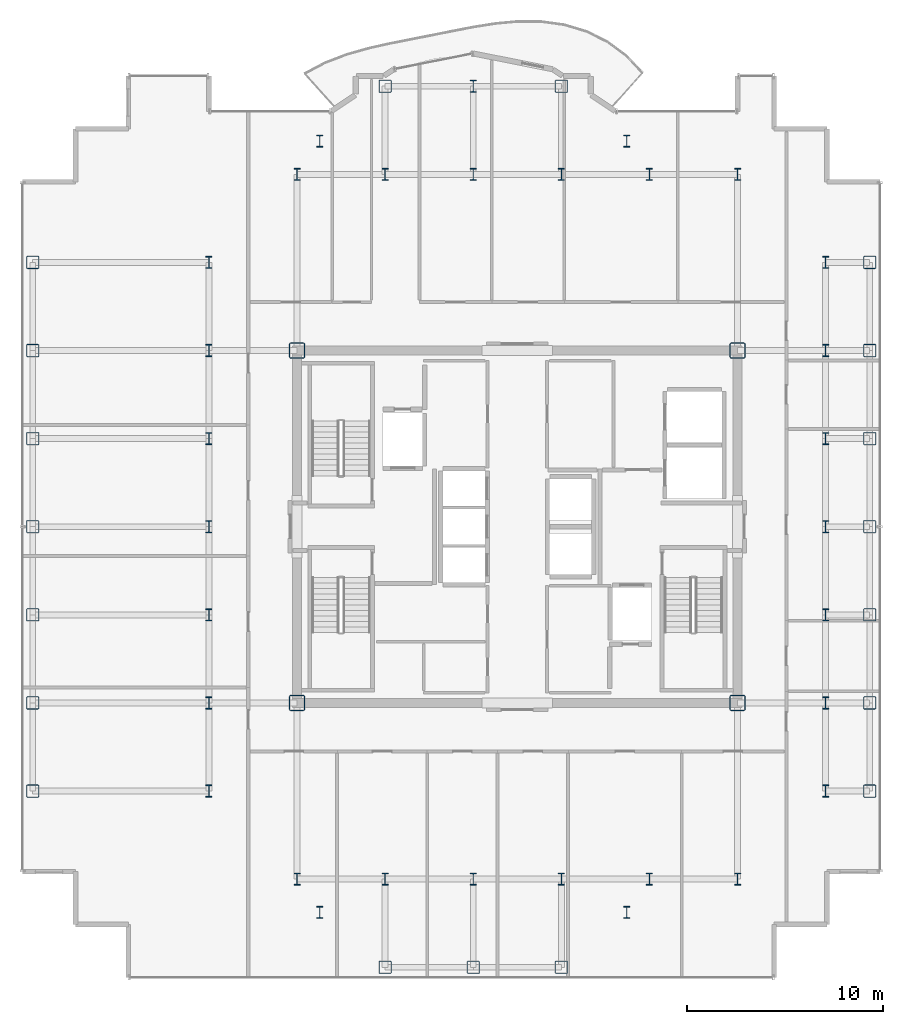
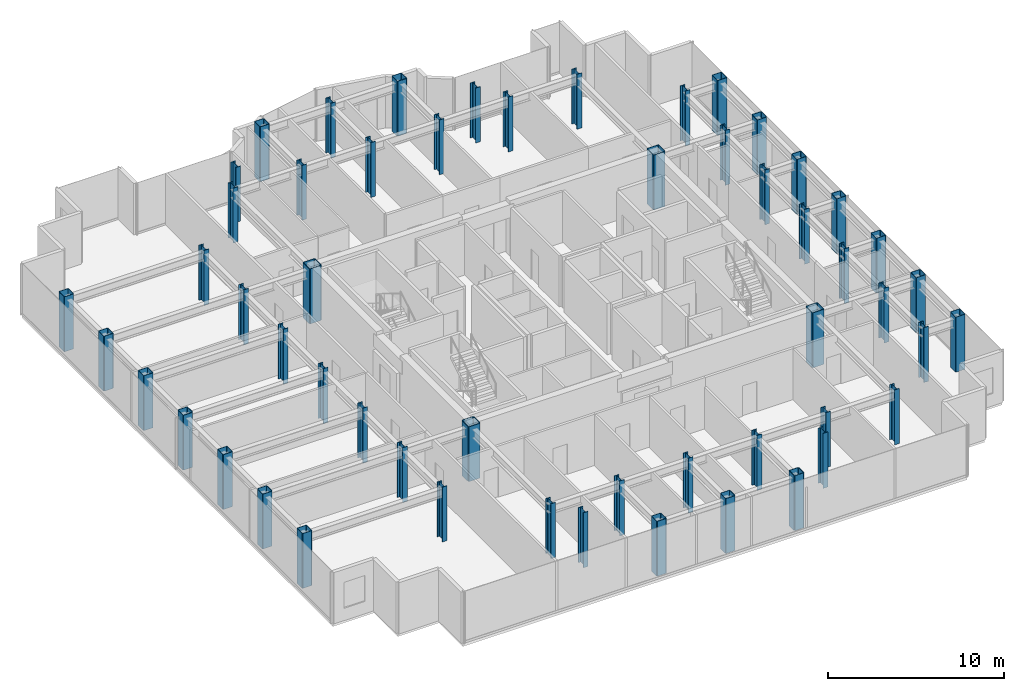
# One storey, part 1 of 18: 54 columns.
"""IFC4 building model written with IfcOpenShell, lengths in metres."""

from ifc_helpers import new_model, si_unit, direction, frame, origin, origin_2d, place, context, subcontext, project, spatial, hollow_rectangle, i_section, extrude, source, transform, mapped, material, material_profile, profile_set, type_object, element, save


model = new_model("IFC4")

# Units and contexts
model_context = context("Model", 3, precision=1e-05, world=origin(), true_north=direction((0.0, 1.0)))
body_context = subcontext(model_context, "Body", "Model", "MODEL_VIEW")
ifc_project = project(units=[si_unit("LENGTHUNIT", "METRE"), si_unit("AREAUNIT", "SQUARE_METRE"), si_unit("VOLUMEUNIT", "CUBIC_METRE"), si_unit("PLANEANGLEUNIT", "RADIAN"), si_unit("MASSUNIT", "GRAM", prefix="KILO")], contexts=[model_context])

# Site, building, storey
site_placement = place(None, origin())
site = spatial("IfcSite", under=ifc_project, at=site_placement, CompositionType="ELEMENT")
building_placement = place(site_placement, origin())
building = spatial("IfcBuilding", under=site, at=building_placement, Name="Nefas-Gora Pilgrimage Tower", CompositionType="ELEMENT")
storey_placement = place(building_placement, frame((0.0, 0.0, 272.199951171875)))
storey = spatial("IfcBuildingStorey", under=building, at=storey_placement, Name="L68", CompositionType="ELEMENT", Elevation=272.199951171875)

# Columns
ifc_material_1 = material(Name="Steel S460", Category="steel")
ifc_material_profile_1 = material_profile(ifc_material_1, hollow_rectangle(XDim=0.800048828125, YDim=0.800048828125, WallThickness=0.0400390625, InnerFilletRadius=0.0400390625, OuterFilletRadius=0.080078125, at=origin_2d()), Name="BOX 800x800x40")
ifc_profile_set_1 = profile_set([ifc_material_profile_1], Name="Steel S460")
column_type_1 = type_object("IfcColumnType", Name="COL-CORE-800", PredefinedType="COLUMN", material=ifc_profile_set_1)
shared_shape_1 = source(origin(), body_context, "Body", "SweptSolid", [
    extrude(hollow_rectangle(XDim=0.800048828125, YDim=0.800048828125, WallThickness=0.0400390625, InnerFilletRadius=0.0400390625, OuterFilletRadius=0.080078125, at=origin_2d()), origin(), (0.0, 0.0, 1.0), 3.800048828125),
])
for number, where, z_axis, x_axis, name in (
    (1, (-11.25, -9.0, 0.0), (0.0, 0.0, 1.0), (1.0, 0.0, 0.0), "L68 Tower Column CC-Z2.16"),
    (2, (-11.25, 9.0, 0.0), (0.0, 0.0, 1.0), (1.0, 0.0, 0.0), "L68 Tower Column CC-Z2.17"),
    (3, (11.25, -9.0, 0.0), (0.0, 0.0, 1.0), (1.0, 0.0, 0.0), "L68 Tower Column CC-Z2.38"),
    (4, (11.25, 9.0, 0.0), (0.0, 0.0, 1.0), (1.0, 0.0, 0.0), "L68 Tower Column CC-Z2.39"),
):
    element("IfcColumn", number, at=place(storey_placement, frame(where, z_axis=z_axis, x_axis=x_axis)), inside=storey, type_object=column_type_1, Name=name, PredefinedType="COLUMN", context=body_context, shape_type="MappedRepresentation", body=[
        mapped(shared_shape_1, transform((0.0, 0.0, 0.0), x_axis=(1.0, 0.0, 0.0), y_axis=(0.0, 1.0, 0.0), z_axis=(0.0, 0.0, 1.0), scale=1.0)),
    ])
ifc_material_profile_2 = material_profile(ifc_material_1, hollow_rectangle(XDim=0.64990234375, YDim=0.64990234375, WallThickness=0.031982421875, InnerFilletRadius=0.031982421875, OuterFilletRadius=0.06396484375, at=origin_2d()), Name="BOX 650x650x32")
ifc_profile_set_2 = profile_set([ifc_material_profile_2], Name="Steel S460")
column_type_2 = type_object("IfcColumnType", Name="COL-TUBE-650", PredefinedType="COLUMN", material=ifc_profile_set_2)
shared_shape_2 = source(origin(), body_context, "Body", "SweptSolid", [
    extrude(hollow_rectangle(XDim=0.64990234375, YDim=0.64990234375, WallThickness=0.031982421875, InnerFilletRadius=0.031982421875, OuterFilletRadius=0.06396484375, at=origin_2d()), origin(), (0.0, 0.0, 1.0), 3.800048828125),
])
for number, where, z_axis, x_axis, name in (
    (5, (-24.75, -13.5, 0.0), (0.0, 0.0, 1.0), (1.0, 0.0, 0.0), "L68 Tower Column C-Z3.1"),
    (6, (-24.75, -9.0, 0.0), (0.0, 0.0, 1.0), (1.0, 0.0, 0.0), "L68 Tower Column C-Z3.2"),
    (7, (-24.75, -4.5, 0.0), (0.0, 0.0, 1.0), (1.0, 0.0, 0.0), "L68 Tower Column C-Z3.3"),
    (8, (-24.75, 0.0, 0.0), (0.0, 0.0, 1.0), (1.0, 0.0, 0.0), "L68 Tower Column C-Z3.4"),
    (9, (-24.75, 4.5, 0.0), (0.0, 0.0, 1.0), (1.0, 0.0, 0.0), "L68 Tower Column C-Z3.5"),
    (10, (-24.75, 9.0, 0.0), (0.0, 0.0, 1.0), (1.0, 0.0, 0.0), "L68 Tower Column C-Z3.6"),
    (11, (-24.75, 13.5, 0.0), (0.0, 0.0, 1.0), (1.0, 0.0, 0.0), "L68 Tower Column C-Z3.7"),
    (12, (-6.75, -22.5, 0.0), (0.0, 0.0, 1.0), (1.0, 0.0, 0.0), "L68 Tower Column C-Z3.21"),
    (13, (-6.75, 22.5, 0.0), (0.0, 0.0, 1.0), (1.0, 0.0, 0.0), "L68 Tower Column C-Z3.24"),
    (14, (-2.25, -22.5, 0.0), (0.0, 0.0, 1.0), (1.0, 0.0, 0.0), "L68 Tower Column C-Z3.25"),
    (15, (2.25, -22.5, 0.0), (0.0, 0.0, 1.0), (1.0, 0.0, 0.0), "L68 Tower Column C-Z3.29"),
    (16, (2.25, 22.5, 0.0), (0.0, 0.0, 1.0), (1.0, 0.0, 0.0), "L68 Tower Column C-Z3.32"),
    (17, (18.0, -13.5, 0.0), (0.0, 0.0, 1.0), (1.0, 0.0, 0.0), "L68 Tower Column C-Z3.48"),
    (18, (18.0, -9.0, 0.0), (0.0, 0.0, 1.0), (1.0, 0.0, 0.0), "L68 Tower Column C-Z3.49"),
    (19, (18.0, -4.5, 0.0), (0.0, 0.0, 1.0), (1.0, 0.0, 0.0), "L68 Tower Column C-Z3.50"),
    (20, (18.0, 0.0, 0.0), (0.0, 0.0, 1.0), (1.0, 0.0, 0.0), "L68 Tower Column C-Z3.51"),
    (21, (18.0, 4.5, 0.0), (0.0, 0.0, 1.0), (1.0, 0.0, 0.0), "L68 Tower Column C-Z3.52"),
    (22, (18.0, 9.0, 0.0), (0.0, 0.0, 1.0), (1.0, 0.0, 0.0), "L68 Tower Column C-Z3.53"),
    (23, (18.0, 13.5, 0.0), (0.0, 0.0, 1.0), (1.0, 0.0, 0.0), "L68 Tower Column C-Z3.54"),
):
    element("IfcColumn", number, at=place(storey_placement, frame(where, z_axis=z_axis, x_axis=x_axis)), inside=storey, type_object=column_type_2, Name=name, PredefinedType="COLUMN", context=body_context, shape_type="MappedRepresentation", body=[
        mapped(shared_shape_2, transform((0.0, 0.0, 0.0), x_axis=(1.0, 0.0, 0.0), y_axis=(0.0, 1.0, 0.0), z_axis=(0.0, 0.0, 1.0), scale=1.0)),
    ])
ifc_material_2 = material(Name="Steel S355", Category="steel")
ifc_material_profile_3 = material_profile(ifc_material_2, i_section(OverallWidth=0.304931640625, OverallDepth=0.6201171875, WebThickness=0.02099609375, FlangeThickness=0.0400390625, FilletRadius=0.027099609375, at=origin_2d()), Name="HEM 600")
ifc_profile_set_3 = profile_set([ifc_material_profile_3], Name="Steel S355")
column_type_3 = type_object("IfcColumnType", Name="COL-WEB-HEM600", PredefinedType="COLUMN", material=ifc_profile_set_3)
shared_shape_3 = source(origin(), body_context, "Body", "SweptSolid", [
    extrude(i_section(OverallWidth=0.304931640625, OverallDepth=0.6201171875, WebThickness=0.02099609375, FlangeThickness=0.0400390625, FilletRadius=0.027099609375, at=origin_2d()), origin(), (0.0, 0.0, 1.0), 3.800048828125),
])
for number, where, z_axis, x_axis, name in (
    (24, (-15.75, -13.5, 0.0), (0.0, 0.0, 1.0), (1.0, 0.0, 0.0), "L68 Tower Column CW-03.8"),
    (25, (-15.75, -9.0, 0.0), (0.0, 0.0, 1.0), (1.0, 0.0, 0.0), "L68 Tower Column CW-03.9"),
    (26, (-15.75, -4.5, 0.0), (0.0, 0.0, 1.0), (1.0, 0.0, 0.0), "L68 Tower Column CW-03.10"),
    (27, (-15.75, 0.0, 0.0), (0.0, 0.0, 1.0), (1.0, 0.0, 0.0), "L68 Tower Column CW-03.11"),
    (28, (-15.75, 4.5, 0.0), (0.0, 0.0, 1.0), (1.0, 0.0, 0.0), "L68 Tower Column CW-03.12"),
    (29, (-15.75, 9.0, 0.0), (0.0, 0.0, 1.0), (1.0, 0.0, 0.0), "L68 Tower Column CW-03.13"),
    (30, (-15.75, 13.5, 0.0), (0.0, 0.0, 1.0), (1.0, 0.0, 0.0), "L68 Tower Column CW-03.14"),
    (31, (-11.25, -18.0, 0.0), (0.0, 0.0, 1.0), (1.0, 0.0, 0.0), "L68 Tower Column CW-03.15"),
    (32, (-11.25, 18.0, 0.0), (0.0, 0.0, 1.0), (1.0, 0.0, 0.0), "L68 Tower Column CW-03.18"),
    (33, (-10.091064453125, -19.696044921875, 0.0), (0.0, 0.0, 1.0), (1.0, 0.0, 0.0), "L68 Tower Column CW-03.19"),
    (34, (-10.091064453125, 19.696044921875, 0.0), (0.0, 0.0, 1.0), (1.0, 0.0, 0.0), "L68 Tower Column CW-03.20"),
    (35, (-6.75, -18.0, 0.0), (0.0, 0.0, 1.0), (1.0, 0.0, 0.0), "L68 Tower Column CW-03.22"),
    (36, (-6.75, 18.0, 0.0), (0.0, 0.0, 1.0), (1.0, 0.0, 0.0), "L68 Tower Column CW-03.23"),
    (37, (-2.25, -18.0, 0.0), (0.0, 0.0, 1.0), (1.0, 0.0, 0.0), "L68 Tower Column CW-03.26"),
    (38, (-2.25, 18.0, 0.0), (0.0, 0.0, 1.0), (1.0, 0.0, 0.0), "L68 Tower Column CW-03.27"),
    (39, (-2.25, 22.5, 0.0), (0.0, 0.0, 1.0), (1.0, 0.0, 0.0), "L68 Tower Column CW-03.28"),
    (40, (2.25, -18.0, 0.0), (0.0, 0.0, 1.0), (1.0, 0.0, 0.0), "L68 Tower Column CW-03.30"),
    (41, (2.25, 18.0, 0.0), (0.0, 0.0, 1.0), (1.0, 0.0, 0.0), "L68 Tower Column CW-03.31"),
    (42, (5.591064453125, -19.696044921875, 0.0), (0.0, 0.0, 1.0), (1.0, 0.0, 0.0), "L68 Tower Column CW-03.33"),
    (43, (5.591064453125, 19.696044921875, 0.0), (0.0, 0.0, 1.0), (1.0, 0.0, 0.0), "L68 Tower Column CW-03.34"),
    (44, (6.75, -18.0, 0.0), (0.0, 0.0, 1.0), (1.0, 0.0, 0.0), "L68 Tower Column CW-03.35"),
    (45, (6.75, 18.0, 0.0), (0.0, 0.0, 1.0), (1.0, 0.0, 0.0), "L68 Tower Column CW-03.36"),
    (46, (11.25, -18.0, 0.0), (0.0, 0.0, 1.0), (1.0, 0.0, 0.0), "L68 Tower Column CW-03.37"),
    (47, (11.25, 18.0, 0.0), (0.0, 0.0, 1.0), (1.0, 0.0, 0.0), "L68 Tower Column CW-03.40"),
    (48, (15.75, -13.5, 0.0), (0.0, 0.0, 1.0), (1.0, 0.0, 0.0), "L68 Tower Column CW-03.41"),
    (49, (15.75, -9.0, 0.0), (0.0, 0.0, 1.0), (1.0, 0.0, 0.0), "L68 Tower Column CW-03.42"),
    (50, (15.75, -4.5, 0.0), (0.0, 0.0, 1.0), (1.0, 0.0, 0.0), "L68 Tower Column CW-03.43"),
    (51, (15.75, 0.0, 0.0), (0.0, 0.0, 1.0), (1.0, 0.0, 0.0), "L68 Tower Column CW-03.44"),
    (52, (15.75, 4.5, 0.0), (0.0, 0.0, 1.0), (1.0, 0.0, 0.0), "L68 Tower Column CW-03.45"),
    (53, (15.75, 9.0, 0.0), (0.0, 0.0, 1.0), (1.0, 0.0, 0.0), "L68 Tower Column CW-03.46"),
    (54, (15.75, 13.5, 0.0), (0.0, 0.0, 1.0), (1.0, 0.0, 0.0), "L68 Tower Column CW-03.47"),
):
    element("IfcColumn", number, at=place(storey_placement, frame(where, z_axis=z_axis, x_axis=x_axis)), inside=storey, type_object=column_type_3, Name=name, PredefinedType="COLUMN", context=body_context, shape_type="MappedRepresentation", body=[
        mapped(shared_shape_3, transform((0.0, 0.0, 0.0), x_axis=(1.0, 0.0, 0.0), y_axis=(0.0, 1.0, 0.0), z_axis=(0.0, 0.0, 1.0), scale=1.0)),
    ])

save(model, "model.ifc")
